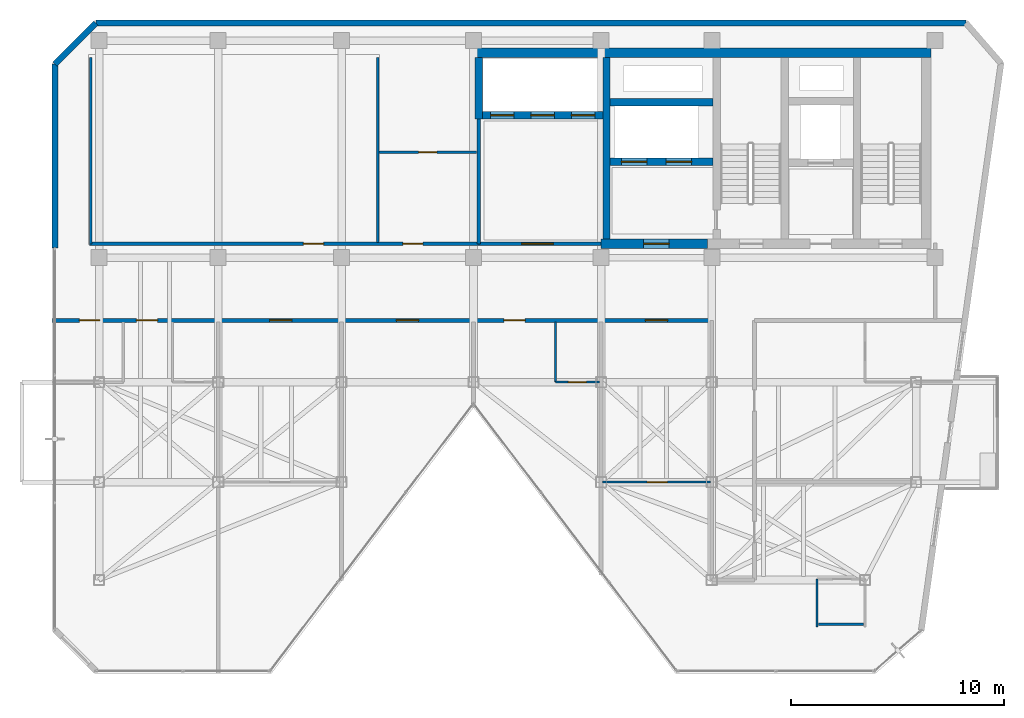
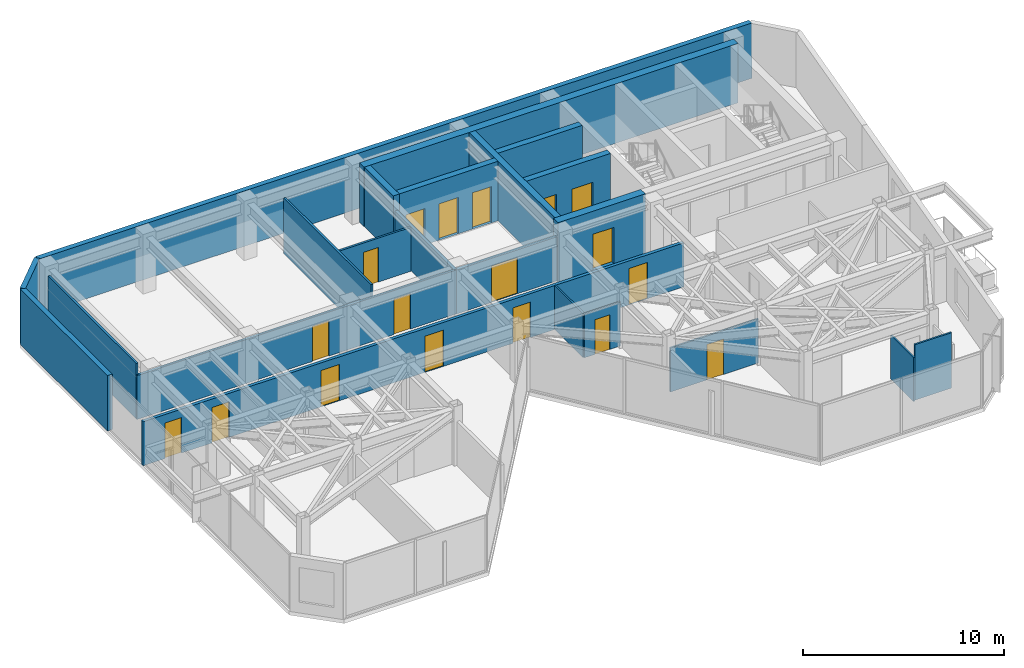
# One storey, part 16 of 20: 22 walls, 18 doors, 18 openings.
"""IFC4 building model written with IfcOpenShell, lengths in metres."""

from ifc_helpers import new_model, si_unit, direction, frame, frame_2d, origin, place, context, subcontext, project, spatial, rectangle, extrude, material, layer, layer_set, type_object, element, fill, save


model = new_model("IFC4")

# Units and contexts
model_context = context("Model", 3, precision=1e-05, world=origin(), true_north=direction((0.0, 1.0)))
body_context = subcontext(model_context, "Body", "Model", "MODEL_VIEW")
ifc_project = project(units=[si_unit("LENGTHUNIT", "METRE"), si_unit("AREAUNIT", "SQUARE_METRE"), si_unit("VOLUMEUNIT", "CUBIC_METRE"), si_unit("PLANEANGLEUNIT", "RADIAN"), si_unit("MASSUNIT", "GRAM", prefix="KILO")], contexts=[model_context])

# Site, building, storey
site_placement = place(None, origin())
site = spatial("IfcSite", under=ifc_project, at=site_placement, CompositionType="ELEMENT")
building_placement = place(site_placement, origin())
building = spatial("IfcBuilding", under=site, at=building_placement, Name="Kravanh Interchange Tower", CompositionType="ELEMENT")
storey_placement = place(building_placement, frame((0.0, 0.0, 252.60009765625)))
storey = spatial("IfcBuildingStorey", under=building, at=storey_placement, Name="L61", CompositionType="ELEMENT", Elevation=252.60009765625)

# Walls
ifc_material_1 = material(Name="Double Acoustic Gypsum Board and Mineral Wool")
ifc_layer_1 = layer(ifc_material_1, 0.1201171875)
ifc_layer_set_1 = layer_set([ifc_layer_1], Name="Acoustic Office Drywall Partition 120mm")
wall_type_1 = type_object("IfcWallType", Name="Acoustic Office Drywall Partition 120mm", PredefinedType="PARTITIONING", material=ifc_layer_set_1)
wall_1_placement = place(storey_placement, frame((26.800048828125, 38.0, 0.0), z_axis=(0.0, 0.0, 1.0), x_axis=(0.0, 1.0, 0.0)))
element("IfcWall", 1, at=wall_1_placement, inside=storey, type_object=wall_type_1, Name="L61 Interior Partition 4", PredefinedType="PARTITIONING", context=body_context, shape_type="SweptSolid", body=[
    extrude(rectangle(XDim=8.75, YDim=0.1201171875, at=frame_2d((4.375, 0.0))), origin(), (0.0, 0.0, 1.0), 3.35986328125),
])
wall_2_placement = place(storey_placement, frame((40.300048828125, 38.068115234375, 0.0), z_axis=(0.0, 0.0, 1.0), x_axis=(0.0, 1.0, 0.0)))
element("IfcWall", 2, at=wall_2_placement, inside=storey, type_object=wall_type_1, Name="L61 Interior Partition 5", PredefinedType="PARTITIONING", context=body_context, shape_type="SweptSolid", body=[
    extrude(rectangle(XDim=8.681884765625, YDim=0.1201171875, at=frame_2d((4.3408203125, 0.0))), origin(), (0.0, 0.0, 1.0), 3.35986328125),
])

# Wall, opening, door
wall_3_placement = place(storey_placement, frame((40.367919921875, 42.300048828125, 0.0), z_axis=(0.0, 0.0, 1.0), x_axis=(1.0, 0.0, 0.0)))
wall_3 = element("IfcWall", 3, at=wall_3_placement, inside=storey, type_object=wall_type_1, Name="L61 Interior Partition 6", PredefinedType="PARTITIONING", context=body_context, shape_type="SweptSolid", body=[
    extrude(rectangle(XDim=4.56396484375, YDim=0.1201171875, at=frame_2d((2.281982421875, 0.0))), origin(), (0.0, 0.0, 1.0), 2.663818359375),
])
opening_1_placement = place(wall_3_placement, frame((1.85693359375, 0.0, 0.0)))
opening_1 = element("IfcOpeningElement", 4, at=opening_1_placement, cuts=wall_3, Name="Opening D-85", PredefinedType="OPENING", context=body_context, shape_type="SweptSolid", body=[
    extrude(rectangle(XDim=0.85009765625, YDim=2.10009765625, at=frame_2d((0.425048828125, 1.050048828125))), frame((0.0, 0.070068359375, 0.0), z_axis=(0.0, -1.0, 0.0), x_axis=(1.0, 0.0, 0.0)), (0.0, 0.0, 1.0), 0.14013671875),
])
ifc_material_2 = material(Name="Engineered Teak Veneer Timber", Category="wood")
door_type_1 = type_object("IfcDoorType", Name="En-Suite Timber Door 850x2100", OperationType="NOTDEFINED", PredefinedType="DOOR", material=ifc_material_2)
door_1_placement = place(opening_1_placement, origin())
door_1 = element("IfcDoor", 5, at=door_1_placement, inside=storey, type_object=door_type_1, Name="L61 North Beverage Study Inner Door", OperationType="SINGLE_SWING_LEFT", OverallHeight=2.10009765625, OverallWidth=0.85009765625, PredefinedType="DOOR", context=body_context, shape_type="SweptSolid", body=[
    extrude(rectangle(XDim=0.85009765625, YDim=2.10009765625, at=frame_2d((0.425048828125, 1.050048828125))), frame((0.0, 0.02490234375, 0.0), z_axis=(0.0, -1.0, 0.0), x_axis=(1.0, 0.0, 0.0)), (0.0, 0.0, 1.0), 0.050048828125),
])
fill(opening_1, door_1)

# Wall, openings, doors
ifc_material_3 = material(Name="Concrete C60/75", Category="concrete")
ifc_layer_2 = layer(ifc_material_3, 0.35009765625)
ifc_layer_set_2 = layer_set([ifc_layer_2], Name="Core Shear Wall Concrete C60/75 350mm")
wall_type_2 = type_object("IfcWallType", Name="Core Shear Wall Concrete C60/75 350mm", PredefinedType="SHEAR", material=ifc_layer_set_2)
wall_4_placement = place(storey_placement, frame((51.22509765625, 41.85009765625, 0.0), z_axis=(0.0, 0.0, 1.0), x_axis=(1.0, 0.0, 0.0)))
wall_4 = element("IfcWall", 6, at=wall_4_placement, inside=storey, type_object=wall_type_2, Name="L61 Fire Lift Shaft South Wall", PredefinedType="SHEAR", context=body_context, shape_type="SweptSolid", body=[
    extrude(rectangle(XDim=4.824951171875, YDim=0.35009765625, at=frame_2d((2.41259765625, 0.0))), origin(), (0.0, 0.0, 1.0), 3.599853515625),
])
opening_2_placement = place(wall_4_placement, frame((0.52490234375, 0.0, 0.0)))
opening_2 = element("IfcOpeningElement", 7, at=opening_2_placement, cuts=wall_4, Name="Opening LD02", PredefinedType="OPENING", context=body_context, shape_type="SweptSolid", body=[
    extrude(rectangle(XDim=1.199951171875, YDim=2.199951171875, at=frame_2d((0.60009765625, 1.10009765625))), frame((0.0, 0.18505859375, 0.0), z_axis=(0.0, -1.0, 0.0), x_axis=(1.0, 0.0, 0.0)), (0.0, 0.0, 1.0), 0.3701171875),
])
opening_3_placement = place(wall_4_placement, frame((2.625, 0.0, 0.0)))
opening_3 = element("IfcOpeningElement", 8, at=opening_3_placement, cuts=wall_4, Name="Opening LD02", PredefinedType="OPENING", context=body_context, shape_type="SweptSolid", body=[
    extrude(rectangle(XDim=1.199951171875, YDim=2.199951171875, at=frame_2d((0.60009765625, 1.10009765625))), frame((0.0, 0.18505859375, 0.0), z_axis=(0.0, -1.0, 0.0), x_axis=(1.0, 0.0, 0.0)), (0.0, 0.0, 1.0), 0.3701171875),
])
ifc_material_4 = material(Name="Stainless Steel 316", Category="steel")
door_type_2 = type_object("IfcDoorType", Name="Fire and Service Lift Sliding Landing Door 1200x2200", OperationType="DOUBLE_DOOR_SLIDING", PredefinedType="DOOR", material=ifc_material_4)
door_2_placement = place(opening_2_placement, origin())
door_2 = element("IfcDoor", 9, at=door_2_placement, inside=storey, type_object=door_type_2, Name="L61 Lift FSAE-01 Landing Door", OperationType="DOUBLE_DOOR_SLIDING", OverallHeight=2.199951171875, OverallWidth=1.199951171875, PredefinedType="DOOR", context=body_context, shape_type="SweptSolid", body=[
    extrude(rectangle(XDim=1.199951171875, YDim=2.199951171875, at=frame_2d((0.60009765625, 1.10009765625))), frame((0.0, 0.02490234375, 0.0), z_axis=(0.0, -1.0, 0.0), x_axis=(1.0, 0.0, 0.0)), (0.0, 0.0, 1.0), 0.050048828125),
])
fill(opening_2, door_2)
door_3_placement = place(opening_3_placement, origin())
door_3 = element("IfcDoor", 10, at=door_3_placement, inside=storey, type_object=door_type_2, Name="L61 Lift FSAE-02 Landing Door", OperationType="DOUBLE_DOOR_SLIDING", OverallHeight=2.199951171875, OverallWidth=1.199951171875, PredefinedType="DOOR", context=body_context, shape_type="SweptSolid", body=[
    extrude(rectangle(XDim=1.199951171875, YDim=2.199951171875, at=frame_2d((0.60009765625, 1.10009765625))), frame((0.0, 0.02490234375, 0.0), z_axis=(0.0, -1.0, 0.0), x_axis=(1.0, 0.0, 0.0)), (0.0, 0.0, 1.0), 0.050048828125),
])
fill(opening_3, door_3)

# Walls
wall_5_placement = place(storey_placement, frame((51.22509765625, 44.64990234375, 0.0), z_axis=(0.0, 0.0, 1.0), x_axis=(1.0, 0.0, 0.0)))
element("IfcWall", 11, at=wall_5_placement, inside=storey, type_object=wall_type_2, Name="L61 Fire Lift Shaft North Wall", PredefinedType="SHEAR", context=body_context, shape_type="SweptSolid", body=[
    extrude(rectangle(XDim=4.824951171875, YDim=0.35009765625, at=frame_2d((2.41259765625, 0.0))), origin(), (0.0, 0.0, 1.0), 3.599853515625),
])
wall_6_placement = place(storey_placement, frame((51.050048828125, 38.22509765625, 0.0), z_axis=(0.0, 0.0, 1.0), x_axis=(0.0, 1.0, 0.0)))
element("IfcWall", 12, at=wall_6_placement, inside=storey, type_object=wall_type_2, Name="L61 Firefighting Lobby West Wall", PredefinedType="SHEAR", context=body_context, shape_type="SweptSolid", body=[
    extrude(rectangle(XDim=8.52490234375, YDim=0.35009765625, at=frame_2d((4.262451171875, 0.0))), origin(), (0.0, 0.0, 1.0), 3.599853515625),
])

# Wall, openings, doors
wall_7_placement = place(storey_placement, frame((45.22509765625, 44.050048828125, 0.0), z_axis=(0.0, 0.0, 1.0), x_axis=(1.0, 0.0, 0.0)))
wall_7 = element("IfcWall", 13, at=wall_7_placement, inside=storey, type_object=wall_type_2, Name="L61 High-Rise Lift Shaft South Wall", PredefinedType="SHEAR", context=body_context, shape_type="SweptSolid", body=[
    extrude(rectangle(XDim=5.64990234375, YDim=0.35009765625, at=frame_2d((2.824951171875, 0.0))), origin(), (0.0, 0.0, 1.0), 3.599853515625),
])
opening_4_placement = place(wall_7_placement, frame((0.375, 0.0, 0.0)))
opening_4 = element("IfcOpeningElement", 14, at=opening_4_placement, cuts=wall_7, Name="Opening LD01", PredefinedType="OPENING", context=body_context, shape_type="SweptSolid", body=[
    extrude(rectangle(XDim=1.10009765625, YDim=2.199951171875, at=frame_2d((0.550048828125, 1.10009765625))), frame((0.0, 0.18505859375, 0.0), z_axis=(0.0, -1.0, 0.0), x_axis=(1.0, 0.0, 0.0)), (0.0, 0.0, 1.0), 0.3701171875),
])
opening_5_placement = place(wall_7_placement, frame((2.27490234375, 0.0, 0.0)))
opening_5 = element("IfcOpeningElement", 15, at=opening_5_placement, cuts=wall_7, Name="Opening LD01", PredefinedType="OPENING", context=body_context, shape_type="SweptSolid", body=[
    extrude(rectangle(XDim=1.10009765625, YDim=2.199951171875, at=frame_2d((0.550048828125, 1.10009765625))), frame((0.0, 0.18505859375, 0.0), z_axis=(0.0, -1.0, 0.0), x_axis=(1.0, 0.0, 0.0)), (0.0, 0.0, 1.0), 0.3701171875),
])
opening_6_placement = place(wall_7_placement, frame((4.175048828125, 0.0, 0.0)))
opening_6 = element("IfcOpeningElement", 16, at=opening_6_placement, cuts=wall_7, Name="Opening LD01", PredefinedType="OPENING", context=body_context, shape_type="SweptSolid", body=[
    extrude(rectangle(XDim=1.10009765625, YDim=2.199951171875, at=frame_2d((0.550048828125, 1.10009765625))), frame((0.0, 0.18505859375, 0.0), z_axis=(0.0, -1.0, 0.0), x_axis=(1.0, 0.0, 0.0)), (0.0, 0.0, 1.0), 0.3701171875),
])
ifc_material_5 = material(Name="Stainless Steel 304", Category="steel")
door_type_3 = type_object("IfcDoorType", Name="Passenger Lift Sliding Landing Door 1100x2200", OperationType="DOUBLE_DOOR_SLIDING", PredefinedType="DOOR", material=ifc_material_5)
door_4_placement = place(opening_4_placement, origin())
door_4 = element("IfcDoor", 17, at=door_4_placement, inside=storey, type_object=door_type_3, Name="L61 Lift LP-H1 Landing Door", OperationType="DOUBLE_DOOR_SLIDING", OverallHeight=2.199951171875, OverallWidth=1.10009765625, PredefinedType="DOOR", context=body_context, shape_type="SweptSolid", body=[
    extrude(rectangle(XDim=1.10009765625, YDim=2.199951171875, at=frame_2d((0.550048828125, 1.10009765625))), frame((0.0, 0.02490234375, 0.0), z_axis=(0.0, -1.0, 0.0), x_axis=(1.0, 0.0, 0.0)), (0.0, 0.0, 1.0), 0.050048828125),
])
fill(opening_4, door_4)
door_5_placement = place(opening_5_placement, origin())
door_5 = element("IfcDoor", 18, at=door_5_placement, inside=storey, type_object=door_type_3, Name="L61 Lift LP-H2 Landing Door", OperationType="DOUBLE_DOOR_SLIDING", OverallHeight=2.199951171875, OverallWidth=1.10009765625, PredefinedType="DOOR", context=body_context, shape_type="SweptSolid", body=[
    extrude(rectangle(XDim=1.10009765625, YDim=2.199951171875, at=frame_2d((0.550048828125, 1.10009765625))), frame((0.0, 0.02490234375, 0.0), z_axis=(0.0, -1.0, 0.0), x_axis=(1.0, 0.0, 0.0)), (0.0, 0.0, 1.0), 0.050048828125),
])
fill(opening_5, door_5)
door_6_placement = place(opening_6_placement, origin())
door_6 = element("IfcDoor", 19, at=door_6_placement, inside=storey, type_object=door_type_3, Name="L61 Lift LP-H3 Landing Door", OperationType="DOUBLE_DOOR_SLIDING", OverallHeight=2.199951171875, OverallWidth=1.10009765625, PredefinedType="DOOR", context=body_context, shape_type="SweptSolid", body=[
    extrude(rectangle(XDim=1.10009765625, YDim=2.199951171875, at=frame_2d((0.550048828125, 1.10009765625))), frame((0.0, 0.02490234375, 0.0), z_axis=(0.0, -1.0, 0.0), x_axis=(1.0, 0.0, 0.0)), (0.0, 0.0, 1.0), 0.050048828125),
])
fill(opening_6, door_6)

# Walls
wall_8_placement = place(storey_placement, frame((45.050048828125, 43.875, 0.0), z_axis=(0.0, 0.0, 1.0), x_axis=(0.0, 1.0, 0.0)))
element("IfcWall", 20, at=wall_8_placement, inside=storey, type_object=wall_type_2, Name="L61 High-Rise Lift Shaft West Wall", PredefinedType="SHEAR", context=body_context, shape_type="SweptSolid", body=[
    extrude(rectangle(XDim=2.875, YDim=0.35009765625, at=frame_2d((1.4375, 0.0))), origin(), (0.0, 0.0, 1.0), 3.599853515625),
])
ifc_material_6 = material(Name="Concrete C60/75", Category="concrete")
ifc_layer_3 = layer(ifc_material_6, 0.449951171875)
ifc_layer_set_3 = layer_set([ifc_layer_3], Name="Core Shear Wall Concrete C60/75 450mm")
wall_type_3 = type_object("IfcWallType", Name="Core Shear Wall Concrete C60/75 450mm", PredefinedType="SHEAR", material=ifc_layer_set_3)
wall_9_placement = place(storey_placement, frame((44.85009765625, 46.97509765625, 0.0), z_axis=(0.0, 0.0, 1.0), x_axis=(1.0, 0.0, 0.0)))
element("IfcWall", 21, at=wall_9_placement, inside=storey, type_object=wall_type_3, Name="L61 North Core Shear Wall", PredefinedType="SHEAR", context=body_context, shape_type="SweptSolid", body=[
    extrude(rectangle(XDim=21.449951171875, YDim=0.449951171875, at=frame_2d((10.72509765625, 0.0))), origin(), (0.0, 0.0, 1.0), 3.599853515625),
])

# Wall, opening, door
wall_10_placement = place(storey_placement, frame((50.800048828125, 38.0, 0.0), z_axis=(0.0, 0.0, 1.0), x_axis=(1.0, 0.0, 0.0)))
wall_10 = element("IfcWall", 22, at=wall_10_placement, inside=storey, type_object=wall_type_3, Name="L61 Firefighting Lobby South Shear Wall", PredefinedType="SHEAR", context=body_context, shape_type="SweptSolid", body=[
    extrude(rectangle(XDim=5.0, YDim=0.449951171875, at=frame_2d((2.5, 0.0))), origin(), (0.0, 0.0, 1.0), 3.599853515625),
])
opening_7_placement = place(wall_10_placement, frame((2.0, 0.0, 0.0)))
opening_7 = element("IfcOpeningElement", 23, at=opening_7_placement, cuts=wall_10, Name="Opening D-FSAE-120", PredefinedType="OPENING", context=body_context, shape_type="SweptSolid", body=[
    extrude(rectangle(XDim=1.199951171875, YDim=2.199951171875, at=frame_2d((0.60009765625, 1.10009765625))), frame((0.0, 0.23486328125, 0.0), z_axis=(0.0, -1.0, 0.0), x_axis=(1.0, 0.0, 0.0)), (0.0, 0.0, 1.0), 0.469970703125),
])
ifc_material_7 = material(Name="Structural Steel S355", Category="steel")
door_type_4 = type_object("IfcDoorType", Name="Fire-Rated Refuge and FSAE Door 1200x2200", OperationType="NOTDEFINED", PredefinedType="DOOR", material=ifc_material_7)
door_7_placement = place(opening_7_placement, origin())
door_7 = element("IfcDoor", 24, at=door_7_placement, inside=storey, type_object=door_type_4, Name="L61 Firefighting Lobby Corridor Door", OperationType="SINGLE_SWING_RIGHT", OverallHeight=2.199951171875, OverallWidth=1.199951171875, PredefinedType="DOOR", context=body_context, shape_type="SweptSolid", body=[
    extrude(rectangle(XDim=1.199951171875, YDim=2.199951171875, at=frame_2d((0.60009765625, 1.10009765625))), frame((0.0, 0.02490234375, 0.0), z_axis=(0.0, -1.0, 0.0), x_axis=(1.0, 0.0, 0.0)), (0.0, 0.0, 1.0), 0.050048828125),
])
fill(opening_7, door_7)

# Walls
ifc_material_8 = material(Name="Moisture-Resistant Gypsum Board and Mineral Wool")
ifc_layer_4 = layer(ifc_material_8, 0.10009765625)
ifc_layer_set_4 = layer_set([ifc_layer_4], Name="En-Suite Moisture-Resistant Partition 100mm")
wall_type_4 = type_object("IfcWallType", Name="En-Suite Moisture-Resistant Partition 100mm", PredefinedType="PARTITIONING", material=ifc_layer_set_4)
wall_11_placement = place(storey_placement, frame((60.949951171875, 20.0, 0.0), z_axis=(0.0, 0.0, 1.0), x_axis=(0.0, 1.0, 0.0)))
element("IfcWall", 25, at=wall_11_placement, inside=storey, type_object=wall_type_4, Name="L61 Interior Partition 17", PredefinedType="PARTITIONING", context=body_context, shape_type="SweptSolid", body=[
    extrude(rectangle(XDim=2.25, YDim=0.10009765625, at=frame_2d((1.125, 0.0))), origin(), (0.0, 0.0, 1.0), 2.663818359375),
])
wall_12_placement = place(storey_placement, frame((61.01806640625, 20.1201171875, 0.0), z_axis=(0.0, 0.0, 1.0), x_axis=(1.0, 0.0, 0.0)))
element("IfcWall", 26, at=wall_12_placement, inside=storey, type_object=wall_type_4, Name="L61 Interior Partition 19", PredefinedType="PARTITIONING", context=body_context, shape_type="SweptSolid", body=[
    extrude(rectangle(XDim=2.114013671875, YDim=0.10009765625, at=frame_2d((1.05712890625, 0.0))), origin(), (0.0, 0.0, 1.0), 3.35986328125),
])
wall_13_placement = place(storey_placement, frame((48.64990234375, 31.5, 0.0), z_axis=(0.0, 0.0, 1.0), x_axis=(0.0, 1.0, 0.0)))
element("IfcWall", 27, at=wall_13_placement, inside=storey, type_object=wall_type_4, Name="L61 Interior Partition 28", PredefinedType="PARTITIONING", context=body_context, shape_type="SweptSolid", body=[
    extrude(rectangle(XDim=2.83203125, YDim=0.10009765625, at=frame_2d((1.416015625, 0.0))), origin(), (0.0, 0.0, 1.0), 2.663818359375),
])

# Wall, opening, door
wall_14_placement = place(storey_placement, frame((48.64990234375, 31.5, 0.0), z_axis=(0.0, 0.0, 1.0), x_axis=(1.0, 0.0, 0.0)))
wall_14 = element("IfcWall", 28, at=wall_14_placement, inside=storey, type_object=wall_type_4, Name="L61 Interior Partition 29", PredefinedType="PARTITIONING", context=body_context, shape_type="SweptSolid", body=[
    extrude(rectangle(XDim=2.08203125, YDim=0.10009765625, at=frame_2d((1.041015625, 0.0))), origin(), (0.0, 0.0, 1.0), 2.663818359375),
])
opening_8_placement = place(wall_14_placement, frame((0.607421875, 0.0, 0.0)))
opening_8 = element("IfcOpeningElement", 29, at=opening_8_placement, cuts=wall_14, Name="Opening D-85", PredefinedType="OPENING", context=body_context, shape_type="SweptSolid", body=[
    extrude(rectangle(XDim=0.85009765625, YDim=2.10009765625, at=frame_2d((0.425048828125, 1.050048828125))), frame((0.0, 0.06005859375, 0.0), z_axis=(0.0, -1.0, 0.0), x_axis=(1.0, 0.0, 0.0)), (0.0, 0.0, 1.0), 0.1201171875),
])
door_8_placement = place(opening_8_placement, origin())
door_8 = element("IfcDoor", 30, at=door_8_placement, inside=storey, type_object=door_type_1, Name="L61 En-suite Bathroom Door", OperationType="SINGLE_SWING_LEFT", OverallHeight=2.10009765625, OverallWidth=0.85009765625, PredefinedType="DOOR", context=body_context, shape_type="SweptSolid", body=[
    extrude(rectangle(XDim=0.85009765625, YDim=2.10009765625, at=frame_2d((0.425048828125, 1.050048828125))), frame((0.0, 0.02490234375, 0.0), z_axis=(0.0, -1.0, 0.0), x_axis=(1.0, 0.0, 0.0)), (0.0, 0.0, 1.0), 0.050048828125),
])
fill(opening_8, door_8)

wall_15_placement = place(storey_placement, frame((50.867919921875, 26.800048828125, 0.0), z_axis=(0.0, 0.0, 1.0), x_axis=(1.0, 0.0, 0.0)))
wall_15 = element("IfcWall", 31, at=wall_15_placement, inside=storey, type_object=wall_type_4, Name="L61 Interior Partition 31", PredefinedType="PARTITIONING", context=body_context, shape_type="SweptSolid", body=[
    extrude(rectangle(XDim=5.06396484375, YDim=0.10009765625, at=frame_2d((2.531982421875, 0.0))), origin(), (0.0, 0.0, 1.0), 2.663818359375),
])
opening_9_placement = place(wall_15_placement, frame((2.09716796875, 0.0, 0.0)))
opening_9 = element("IfcOpeningElement", 32, at=opening_9_placement, cuts=wall_15, Name="Opening D-95", PredefinedType="OPENING", context=body_context, shape_type="SweptSolid", body=[
    extrude(rectangle(XDim=0.949951171875, YDim=2.14990234375, at=frame_2d((0.47509765625, 1.074951171875))), frame((0.0, 0.06005859375, 0.0), z_axis=(0.0, -1.0, 0.0), x_axis=(1.0, 0.0, 0.0)), (0.0, 0.0, 1.0), 0.1201171875),
])
ifc_material_9 = material(Name="Laminate Solid-Core Timber", Category="wood")
door_type_5 = type_object("IfcDoorType", Name="Accessible Restroom Door 950x2150", OperationType="NOTDEFINED", PredefinedType="DOOR", material=ifc_material_9)
door_9_placement = place(opening_9_placement, origin())
door_9 = element("IfcDoor", 33, at=door_9_placement, inside=storey, type_object=door_type_5, Name="L61 Sunroom Alcove Inner Door", OperationType="SINGLE_SWING_RIGHT", OverallHeight=2.14990234375, OverallWidth=0.949951171875, PredefinedType="DOOR", context=body_context, shape_type="SweptSolid", body=[
    extrude(rectangle(XDim=0.949951171875, YDim=2.14990234375, at=frame_2d((0.47509765625, 1.074951171875))), frame((0.0, 0.02490234375, 0.0), z_axis=(0.0, -1.0, 0.0), x_axis=(1.0, 0.0, 0.0)), (0.0, 0.0, 1.0), 0.050048828125),
])
fill(opening_9, door_9)

# Walls
ifc_material_10 = material(Name="Insulated Precast Concrete C40/50 with Bronze Cladding", Category="concrete")
ifc_layer_5 = layer(ifc_material_10, 0.280029296875)
ifc_layer_set_5 = layer_set([ifc_layer_5], Name="Exterior Insulated Concrete C40/50 Bronze Spandrel Wall 280mm")
wall_type_5 = type_object("IfcWallType", Name="Exterior Insulated Concrete C40/50 Bronze Spandrel Wall 280mm", PredefinedType="STANDARD", material=ifc_layer_set_5)
wall_16_placement = place(storey_placement, frame((25.1201171875, 37.800048828125, 0.0), z_axis=(0.0, 0.0, 1.0), x_axis=(0.0, 1.0, 0.0)))
element("IfcWall", 34, at=wall_16_placement, inside=storey, type_object=wall_type_5, Name="L61 Exterior Wall 1", PredefinedType="STANDARD", context=body_context, shape_type="SweptSolid", body=[
    extrude(rectangle(XDim=8.650146484375, YDim=0.280029296875, at=frame_2d((4.3251953125, 0.0))), origin(), (0.0, 0.0, 1.0), 3.35986328125),
])
wall_17_placement = place(storey_placement, frame((25.1201171875, 46.4501953125, 0.0), z_axis=(0.0, 0.0, 1.0), x_axis=(0.707106781187, 0.707106781187, 0.0)))
element("IfcWall", 35, at=wall_17_placement, inside=storey, type_object=wall_type_5, Name="L61 Exterior Wall 2", PredefinedType="STANDARD", context=body_context, shape_type="SweptSolid", body=[
    extrude(rectangle(XDim=2.72900390625, YDim=0.280029296875, at=frame_2d((1.364501953125, 0.0))), origin(), (0.0, 0.0, 1.0), 3.35986328125),
])
wall_18_placement = place(storey_placement, frame((27.0498046875, 48.3798828125, 0.0), z_axis=(0.0, 0.0, 1.0), x_axis=(1.0, 0.0, 0.0)))
element("IfcWall", 36, at=wall_18_placement, inside=storey, type_object=wall_type_5, Name="L61 Exterior Wall 3", PredefinedType="STANDARD", context=body_context, shape_type="SweptSolid", body=[
    extrude(rectangle(XDim=40.8955078125, YDim=0.280029296875, at=frame_2d((20.44775390625, 0.0))), origin(), (0.0, 0.0, 1.0), 3.35986328125),
])

# Wall, opening, door
ifc_material_11 = material(Name="Autoclaved Aerated Concrete C30/37 Blockwork", Category="masonry")
ifc_layer_6 = layer(ifc_material_11, 0.179931640625)
ifc_layer_set_6 = layer_set([ifc_layer_6], Name="Fire-Rated Lobby and Corridor Wall Concrete C30/37 180mm")
wall_type_6 = type_object("IfcWallType", Name="Fire-Rated Lobby and Corridor Wall Concrete C30/37 180mm", PredefinedType="STANDARD", material=ifc_layer_set_6)
wall_19_placement = place(storey_placement, frame((45.050048828125, 38.0, 0.0), z_axis=(0.0, 0.0, 1.0), x_axis=(1.0, 0.0, 0.0)))
wall_19 = element("IfcWall", 37, at=wall_19_placement, inside=storey, type_object=wall_type_6, Name="L61 High-Rise Lift Lobby Wall 1", PredefinedType="STANDARD", context=body_context, shape_type="SweptSolid", body=[
    extrude(rectangle(XDim=5.75, YDim=0.179931640625, at=frame_2d((2.875, 0.0))), origin(), (0.0, 0.0, 1.0), 2.663818359375),
])
opening_10_placement = place(wall_19_placement, frame((2.0087890625, 0.0, 0.0)))
opening_10 = element("IfcOpeningElement", 38, at=opening_10_placement, cuts=wall_19, Name="Opening DBL-150", PredefinedType="OPENING", context=body_context, shape_type="SweptSolid", body=[
    extrude(rectangle(XDim=1.5, YDim=2.199951171875, at=frame_2d((0.75, 1.10009765625))), frame((0.0, 0.10009765625, 0.0), z_axis=(0.0, -1.0, 0.0), x_axis=(1.0, 0.0, 0.0)), (0.0, 0.0, 1.0), 0.199951171875),
])
ifc_material_12 = material(Name="Acoustic Timber and Toughened Glass", Category="wood")
door_type_6 = type_object("IfcDoorType", Name="Conference Hall Double Door 1500x2200", OperationType="DOUBLE_DOOR_SINGLE_SWING", PredefinedType="DOOR", material=ifc_material_12)
door_10_placement = place(opening_10_placement, origin())
door_10 = element("IfcDoor", 39, at=door_10_placement, inside=storey, type_object=door_type_6, Name="L61 High-Rise Lift Lobby Door", OperationType="DOUBLE_DOOR_SINGLE_SWING", OverallHeight=2.199951171875, OverallWidth=1.5, PredefinedType="DOOR", context=body_context, shape_type="SweptSolid", body=[
    extrude(rectangle(XDim=1.5, YDim=2.199951171875, at=frame_2d((0.75, 1.10009765625))), frame((0.0, 0.02490234375, 0.0), z_axis=(0.0, -1.0, 0.0), x_axis=(1.0, 0.0, 0.0)), (0.0, 0.0, 1.0), 0.050048828125),
])
fill(opening_10, door_10)

# Wall
wall_20_placement = place(storey_placement, frame((45.050048828125, 38.0, 0.0), z_axis=(0.0, 0.0, 1.0), x_axis=(0.0, 1.0, 0.0)))
element("IfcWall", 40, at=wall_20_placement, inside=storey, type_object=wall_type_6, Name="L61 Interior Partition 2", PredefinedType="STANDARD", context=body_context, shape_type="SweptSolid", body=[
    extrude(rectangle(XDim=5.875, YDim=0.179931640625, at=frame_2d((2.9375, 0.0))), origin(), (0.0, 0.0, 1.0), 2.663818359375),
])

# Wall, openings, doors
wall_21_placement = place(storey_placement, frame((25.014892578125, 34.39990234375, 0.0), z_axis=(0.0, 0.0, 1.0), x_axis=(1.0, 0.0, 0.0)))
wall_21 = element("IfcWall", 41, at=wall_21_placement, inside=storey, type_object=wall_type_6, Name="L61 Interior Partition 7", PredefinedType="STANDARD", context=body_context, shape_type="SweptSolid", body=[
    extrude(rectangle(XDim=30.985107421875, YDim=0.179931640625, at=frame_2d((15.49267578125, 0.0))), origin(), (0.0, 0.0, 1.0), 2.663818359375),
])
opening_11_placement = place(wall_21_placement, frame((1.25927734375, 0.0, 0.0)))
opening_11 = element("IfcOpeningElement", 42, at=opening_11_placement, cuts=wall_21, Name="Opening D-95", PredefinedType="OPENING", context=body_context, shape_type="SweptSolid", body=[
    extrude(rectangle(XDim=0.949951171875, YDim=2.14990234375, at=frame_2d((0.47509765625, 1.074951171875))), frame((0.0, 0.10009765625, 0.0), z_axis=(0.0, -1.0, 0.0), x_axis=(1.0, 0.0, 0.0)), (0.0, 0.0, 1.0), 0.199951171875),
])
opening_12_placement = place(wall_21_placement, frame((3.938720703125, 0.0, 0.0)))
opening_12 = element("IfcOpeningElement", 43, at=opening_12_placement, cuts=wall_21, Name="Opening D-HOTEL-100", PredefinedType="OPENING", context=body_context, shape_type="SweptSolid", body=[
    extrude(rectangle(XDim=1.0, YDim=2.14990234375, at=frame_2d((0.5, 1.074951171875))), frame((0.0, 0.10009765625, 0.0), z_axis=(0.0, -1.0, 0.0), x_axis=(1.0, 0.0, 0.0)), (0.0, 0.0, 1.0), 0.199951171875),
])
opening_13_placement = place(wall_21_placement, frame((10.20068359375, 0.0, 0.0)))
opening_13 = element("IfcOpeningElement", 44, at=opening_13_placement, cuts=wall_21, Name="Opening D-105", PredefinedType="OPENING", context=body_context, shape_type="SweptSolid", body=[
    extrude(rectangle(XDim=1.050048828125, YDim=2.199951171875, at=frame_2d((0.52490234375, 1.10009765625))), frame((0.0, 0.10009765625, 0.0), z_axis=(0.0, -1.0, 0.0), x_axis=(1.0, 0.0, 0.0)), (0.0, 0.0, 1.0), 0.199951171875),
])
opening_14_placement = place(wall_21_placement, frame((16.159912109375, 0.0, 0.0)))
opening_14 = element("IfcOpeningElement", 45, at=opening_14_placement, cuts=wall_21, Name="Opening D-105", PredefinedType="OPENING", context=body_context, shape_type="SweptSolid", body=[
    extrude(rectangle(XDim=1.050048828125, YDim=2.199951171875, at=frame_2d((0.52490234375, 1.10009765625))), frame((0.0, 0.10009765625, 0.0), z_axis=(0.0, -1.0, 0.0), x_axis=(1.0, 0.0, 0.0)), (0.0, 0.0, 1.0), 0.199951171875),
])
opening_15_placement = place(wall_21_placement, frame((21.2099609375, 0.0, 0.0)))
opening_15 = element("IfcOpeningElement", 46, at=opening_15_placement, cuts=wall_21, Name="Opening D-HOTEL-100", PredefinedType="OPENING", context=body_context, shape_type="SweptSolid", body=[
    extrude(rectangle(XDim=1.0, YDim=2.14990234375, at=frame_2d((0.5, 1.074951171875))), frame((0.0, 0.10009765625, 0.0), z_axis=(0.0, -1.0, 0.0), x_axis=(1.0, 0.0, 0.0)), (0.0, 0.0, 1.0), 0.199951171875),
])
opening_16_placement = place(wall_21_placement, frame((27.860107421875, 0.0, 0.0)))
opening_16 = element("IfcOpeningElement", 47, at=opening_16_placement, cuts=wall_21, Name="Opening D-105", PredefinedType="OPENING", context=body_context, shape_type="SweptSolid", body=[
    extrude(rectangle(XDim=1.050048828125, YDim=2.199951171875, at=frame_2d((0.52490234375, 1.10009765625))), frame((0.0, 0.10009765625, 0.0), z_axis=(0.0, -1.0, 0.0), x_axis=(1.0, 0.0, 0.0)), (0.0, 0.0, 1.0), 0.199951171875),
])
door_11_placement = place(opening_11_placement, origin())
door_11 = element("IfcDoor", 48, at=door_11_placement, inside=storey, type_object=door_type_5, Name="L61 Accessible WC Door", OperationType="SINGLE_SWING_RIGHT", OverallHeight=2.14990234375, OverallWidth=0.949951171875, PredefinedType="DOOR", context=body_context, shape_type="SweptSolid", body=[
    extrude(rectangle(XDim=0.949951171875, YDim=2.14990234375, at=frame_2d((0.47509765625, 1.074951171875))), frame((0.0, 0.02490234375, 0.0), z_axis=(0.0, -1.0, 0.0), x_axis=(1.0, 0.0, 0.0)), (0.0, 0.0, 1.0), 0.050048828125),
])
fill(opening_11, door_11)
ifc_material_13 = material(Name="Fire-Rated Solid Timber Leaf", Category="wood")
door_type_7 = type_object("IfcDoorType", Name="Fire-Rated Suite Entrance Door 1000x2150", OperationType="NOTDEFINED", PredefinedType="DOOR", material=ifc_material_13)
door_12_placement = place(opening_12_placement, origin())
door_12 = element("IfcDoor", 49, at=door_12_placement, inside=storey, type_object=door_type_7, Name="L61 Hotel Guest Room A Entrance Door", OperationType="SINGLE_SWING_LEFT", OverallHeight=2.14990234375, OverallWidth=1.0, PredefinedType="DOOR", context=body_context, shape_type="SweptSolid", body=[
    extrude(rectangle(XDim=1.0, YDim=2.14990234375, at=frame_2d((0.5, 1.074951171875))), frame((0.0, 0.02490234375, 0.0), z_axis=(0.0, -1.0, 0.0), x_axis=(1.0, 0.0, 0.0)), (0.0, 0.0, 1.0), 0.050048828125),
])
fill(opening_12, door_12)
door_13_placement = place(opening_15_placement, origin())
door_13 = element("IfcDoor", 50, at=door_13_placement, inside=storey, type_object=door_type_7, Name="L61 Imperial Hotel Suite Entrance Door", OperationType="SINGLE_SWING_RIGHT", OverallHeight=2.14990234375, OverallWidth=1.0, PredefinedType="DOOR", context=body_context, shape_type="SweptSolid", body=[
    extrude(rectangle(XDim=1.0, YDim=2.14990234375, at=frame_2d((0.5, 1.074951171875))), frame((0.0, 0.02490234375, 0.0), z_axis=(0.0, -1.0, 0.0), x_axis=(1.0, 0.0, 0.0)), (0.0, 0.0, 1.0), 0.050048828125),
])
fill(opening_15, door_13)
ifc_material_14 = material(Name="Acoustic Glazed Oak and Aluminium", Category="aluminium")
door_type_8 = type_object("IfcDoorType", Name="Office Workplace Door 1050x2200", OperationType="NOTDEFINED", PredefinedType="DOOR", material=ifc_material_14)
door_14_placement = place(opening_13_placement, origin())
door_14 = element("IfcDoor", 51, at=door_14_placement, inside=storey, type_object=door_type_8, Name="L61 Private Dining Lounge Door", OperationType="SINGLE_SWING_RIGHT", OverallHeight=2.199951171875, OverallWidth=1.050048828125, PredefinedType="DOOR", context=body_context, shape_type="SweptSolid", body=[
    extrude(rectangle(XDim=1.050048828125, YDim=2.199951171875, at=frame_2d((0.52490234375, 1.10009765625))), frame((0.0, 0.02490234375, 0.0), z_axis=(0.0, -1.0, 0.0), x_axis=(1.0, 0.0, 0.0)), (0.0, 0.0, 1.0), 0.050048828125),
])
fill(opening_13, door_14)
door_15_placement = place(opening_14_placement, origin())
door_15 = element("IfcDoor", 52, at=door_15_placement, inside=storey, type_object=door_type_8, Name="L61 Sky Tea Lounge Door", OperationType="SINGLE_SWING_LEFT", OverallHeight=2.199951171875, OverallWidth=1.050048828125, PredefinedType="DOOR", context=body_context, shape_type="SweptSolid", body=[
    extrude(rectangle(XDim=1.050048828125, YDim=2.199951171875, at=frame_2d((0.52490234375, 1.10009765625))), frame((0.0, 0.02490234375, 0.0), z_axis=(0.0, -1.0, 0.0), x_axis=(1.0, 0.0, 0.0)), (0.0, 0.0, 1.0), 0.050048828125),
])
fill(opening_14, door_15)
door_16_placement = place(opening_16_placement, origin())
door_16 = element("IfcDoor", 53, at=door_16_placement, inside=storey, type_object=door_type_8, Name="L61 Tea Kitchenette Door", OperationType="SINGLE_SWING_LEFT", OverallHeight=2.199951171875, OverallWidth=1.050048828125, PredefinedType="DOOR", context=body_context, shape_type="SweptSolid", body=[
    extrude(rectangle(XDim=1.050048828125, YDim=2.199951171875, at=frame_2d((0.52490234375, 1.10009765625))), frame((0.0, 0.02490234375, 0.0), z_axis=(0.0, -1.0, 0.0), x_axis=(1.0, 0.0, 0.0)), (0.0, 0.0, 1.0), 0.050048828125),
])
fill(opening_16, door_16)

ifc_material_15 = material(Name="Twin Stud Acoustic Gypsum Board Wall")
ifc_layer_7 = layer(ifc_material_15, 0.14990234375)
ifc_layer_set_7 = layer_set([ifc_layer_7], Name="Medium-Duty Acoustic Partition 150mm")
wall_type_7 = type_object("IfcWallType", Name="Medium-Duty Acoustic Partition 150mm", PredefinedType="PARTITIONING", material=ifc_layer_set_7)
wall_22_placement = place(storey_placement, frame((26.75, 38.0, 0.0), z_axis=(0.0, 0.0, 1.0), x_axis=(1.0, 0.0, 0.0)))
wall_22 = element("IfcWall", 54, at=wall_22_placement, inside=storey, type_object=wall_type_7, Name="L61 Interior Partition 3", PredefinedType="PARTITIONING", context=body_context, shape_type="SweptSolid", body=[
    extrude(rectangle(XDim=18.300048828125, YDim=0.14990234375, at=frame_2d((9.14990234375, 0.0))), origin(), (0.0, 0.0, 1.0), 2.663818359375),
])
opening_17_placement = place(wall_22_placement, frame((10.050048828125, 0.0, 0.0)))
opening_17 = element("IfcOpeningElement", 55, at=opening_17_placement, cuts=wall_22, Name="Opening D-95", PredefinedType="OPENING", context=body_context, shape_type="SweptSolid", body=[
    extrude(rectangle(XDim=0.949951171875, YDim=2.14990234375, at=frame_2d((0.47509765625, 1.074951171875))), frame((0.0, 0.0849609375, 0.0), z_axis=(0.0, -1.0, 0.0), x_axis=(1.0, 0.0, 0.0)), (0.0, 0.0, 1.0), 0.169921875),
])
opening_18_placement = place(wall_22_placement, frame((14.72509765625, 0.0, 0.0)))
opening_18 = element("IfcOpeningElement", 56, at=opening_18_placement, cuts=wall_22, Name="Opening D-95", PredefinedType="OPENING", context=body_context, shape_type="SweptSolid", body=[
    extrude(rectangle(XDim=0.949951171875, YDim=2.14990234375, at=frame_2d((0.47509765625, 1.074951171875))), frame((0.0, 0.0849609375, 0.0), z_axis=(0.0, -1.0, 0.0), x_axis=(1.0, 0.0, 0.0)), (0.0, 0.0, 1.0), 0.169921875),
])
door_17_placement = place(opening_17_placement, origin())
door_17 = element("IfcDoor", 57, at=door_17_placement, inside=storey, type_object=door_type_5, Name="L61 Spa Salon Lounge Door", OperationType="SINGLE_SWING_LEFT", OverallHeight=2.14990234375, OverallWidth=0.949951171875, PredefinedType="DOOR", context=body_context, shape_type="SweptSolid", body=[
    extrude(rectangle(XDim=0.949951171875, YDim=2.14990234375, at=frame_2d((0.47509765625, 1.074951171875))), frame((0.0, 0.02490234375, 0.0), z_axis=(0.0, -1.0, 0.0), x_axis=(1.0, 0.0, 0.0)), (0.0, 0.0, 1.0), 0.050048828125),
])
fill(opening_17, door_17)
door_18_placement = place(opening_18_placement, origin())
door_18 = element("IfcDoor", 58, at=door_18_placement, inside=storey, type_object=door_type_5, Name="L61 Housekeeping Linen Door", OperationType="SINGLE_SWING_RIGHT", OverallHeight=2.14990234375, OverallWidth=0.949951171875, PredefinedType="DOOR", context=body_context, shape_type="SweptSolid", body=[
    extrude(rectangle(XDim=0.949951171875, YDim=2.14990234375, at=frame_2d((0.47509765625, 1.074951171875))), frame((0.0, 0.02490234375, 0.0), z_axis=(0.0, -1.0, 0.0), x_axis=(1.0, 0.0, 0.0)), (0.0, 0.0, 1.0), 0.050048828125),
])
fill(opening_18, door_18)

save(model, "model.ifc")
